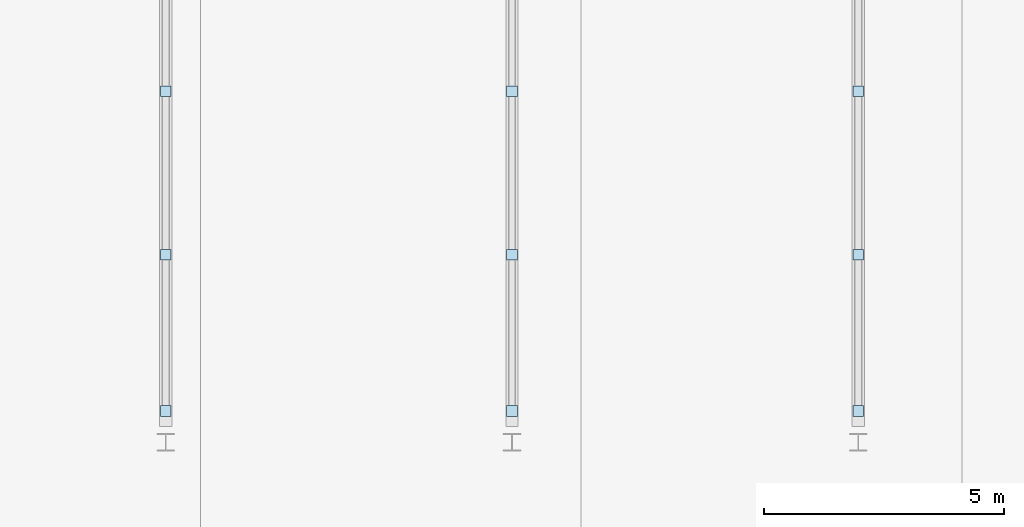
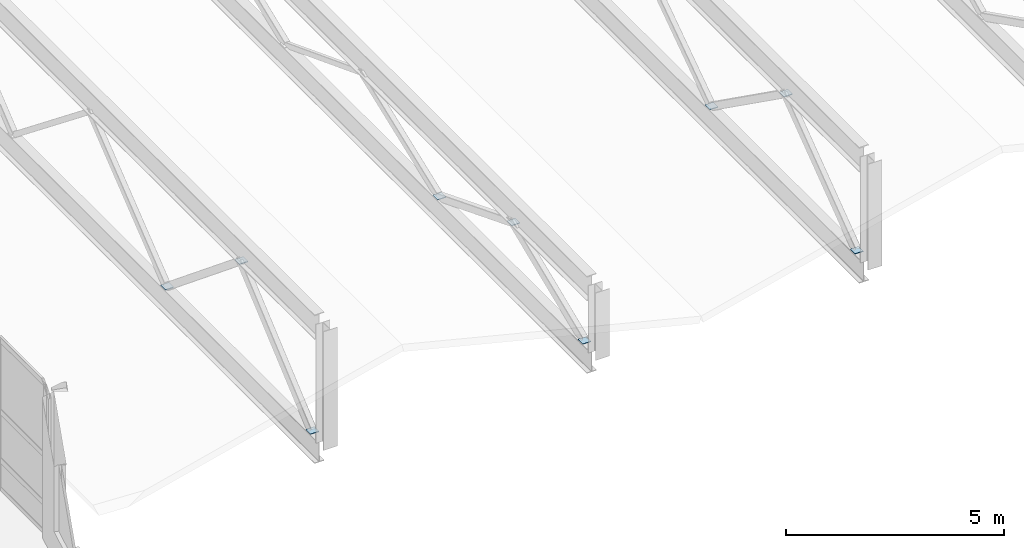
# One storey, part 82 of 123: 9 plates.
"""IFC4 building model written with IfcOpenShell, lengths in metres."""

from ifc_helpers import new_model, si_unit, direction, frame, origin, origin_2d, place, context, subcontext, project, spatial, rectangle, extrude, material, layer, layer_set, type_object, element, save


model = new_model("IFC4")

# Units and contexts
model_context = context("Model", 3, precision=1e-05, world=origin(), true_north=direction((0.0, 1.0)))
body_context = subcontext(model_context, "Body", "Model", "MODEL_VIEW")
ifc_project = project(units=[si_unit("LENGTHUNIT", "METRE"), si_unit("AREAUNIT", "SQUARE_METRE"), si_unit("VOLUMEUNIT", "CUBIC_METRE"), si_unit("PLANEANGLEUNIT", "RADIAN"), si_unit("MASSUNIT", "GRAM", prefix="KILO")], contexts=[model_context])

# Site, building, storey
site_placement = place(None, origin())
site = spatial("IfcSite", under=ifc_project, at=site_placement, CompositionType="ELEMENT")
building_placement = place(site_placement, origin())
building = spatial("IfcBuilding", under=site, at=building_placement, Name="Kalmorath City Hall", CompositionType="ELEMENT")
storey_placement = place(building_placement, frame((0.0, 0.0, 10.199951171875)))
storey = spatial("IfcBuildingStorey", under=building, at=storey_placement, Name="L02", CompositionType="ELEMENT", Elevation=10.199951171875)

# Plates
ifc_material = material(Name="Steel ASTM A572 Grade 50", Category="steel")
ifc_layer = layer(ifc_material, 0.02001953125)
ifc_layer_set = layer_set([ifc_layer], Name="Steel ASTM A572 Grade 50")
plate_type = type_object("IfcPlateType", Name="Steel HSS end-cap plate 220x220x20", PredefinedType="SHEET", material=ifc_layer_set)
for number, where, z_axis, x_axis, name in (
    (1, (43.199951171875, 22.25, -0.01806640625), (0.0, 0.0, 1.0), (1.0, 0.0, 0.0), "Truss web node cap plate GP5-1.1"),
    (2, (43.199951171875, 25.5, 2.762939453125), (0.0, 0.0, 1.0), (1.0, 0.0, 0.0), "Truss web node cap plate GP5-1.2"),
    (3, (43.199951171875, 28.89990234375, -0.01806640625), (0.0, 0.0, 1.0), (1.0, 0.0, 0.0), "Truss web node cap plate GP5-1.3"),
    (4, (50.39990234375, 22.25, -0.01806640625), (0.0, 0.0, 1.0), (1.0, 0.0, 0.0), "Truss web node cap plate GP5-2.1"),
    (5, (50.39990234375, 25.5, 1.322998046875), (0.0, 0.0, 1.0), (1.0, 0.0, 0.0), "Truss web node cap plate GP5-2.2"),
    (6, (50.39990234375, 28.89990234375, -0.01806640625), (0.0, 0.0, 1.0), (1.0, 0.0, 0.0), "Truss web node cap plate GP5-2.3"),
    (7, (57.60009765625, 22.25, -0.01806640625), (0.0, 0.0, 1.0), (1.0, 0.0, 0.0), "Truss web node cap plate GP5-3.1"),
    (8, (57.60009765625, 25.5, 2.403076171875), (0.0, 0.0, 1.0), (1.0, 0.0, 0.0), "Truss web node cap plate GP5-3.2"),
    (9, (57.60009765625, 28.89990234375, -0.01806640625), (0.0, 0.0, 1.0), (1.0, 0.0, 0.0), "Truss web node cap plate GP5-3.3"),
):
    element("IfcPlate", number, at=place(storey_placement, frame(where, z_axis=z_axis, x_axis=x_axis)), inside=storey, type_object=plate_type, Name=name, PredefinedType="SHEET", context=body_context, shape_type="SweptSolid", body=[
        extrude(rectangle(XDim=0.219970703125, YDim=0.219970703125, at=origin_2d()), origin(), (0.0, 0.0, 1.0), 0.02001953125),
    ])

save(model, "model.ifc")
